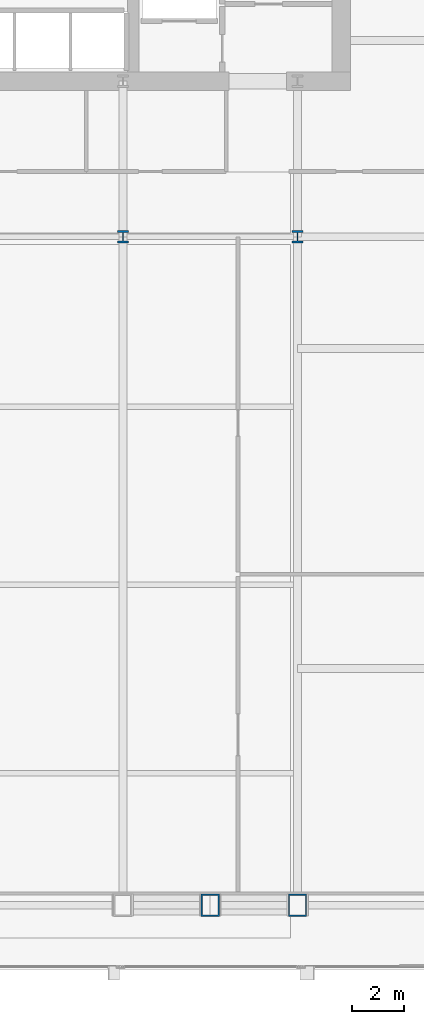
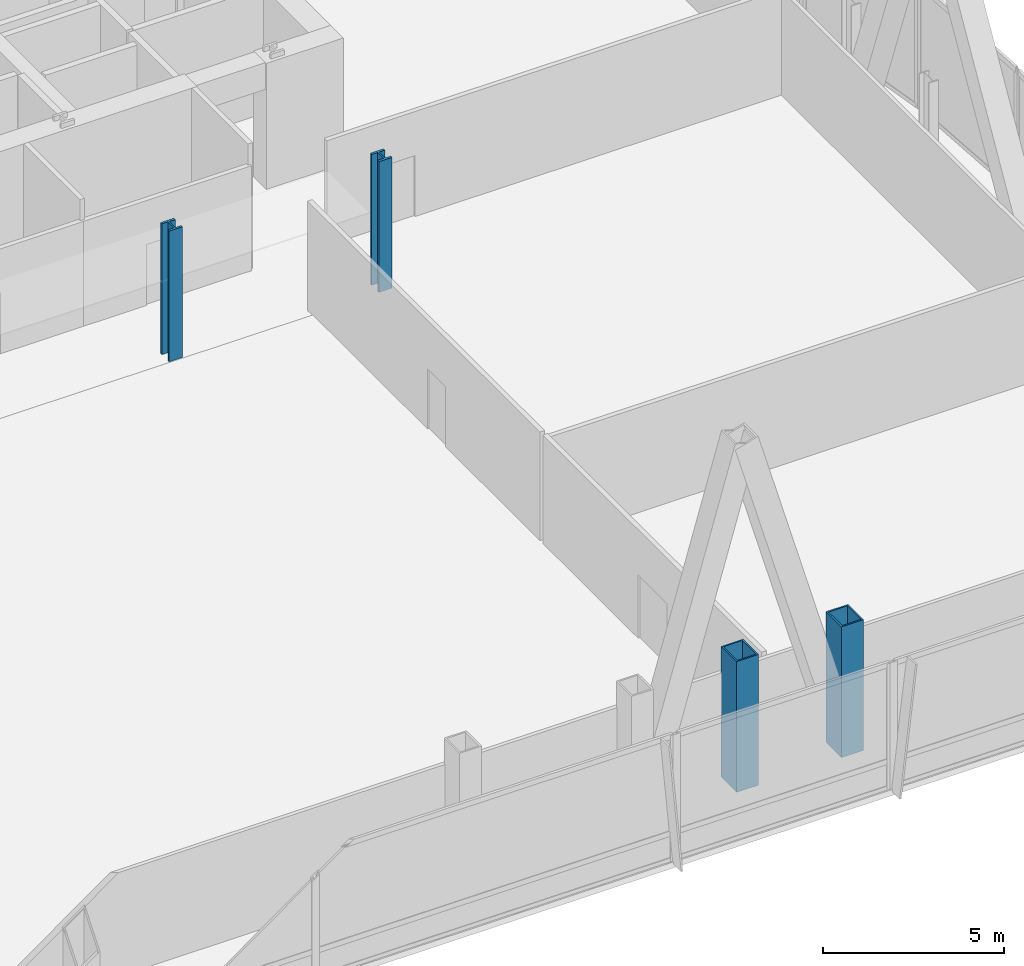
# One storey, part 2 of 32: 4 columns.
"""IFC4 building model written with IfcOpenShell, lengths in metres."""

from ifc_helpers import new_model, si_unit, direction, frame, origin, origin_2d, place, context, subcontext, project, spatial, hollow_rectangle, i_section, extrude, material, material_profile, profile_set, type_object, element, save


model = new_model("IFC4")

# Units and contexts
model_context = context("Model", 3, precision=1e-05, world=origin(), true_north=direction((0.0, 1.0)))
body_context = subcontext(model_context, "Body", "Model", "MODEL_VIEW")
ifc_project = project(units=[si_unit("LENGTHUNIT", "METRE"), si_unit("AREAUNIT", "SQUARE_METRE"), si_unit("VOLUMEUNIT", "CUBIC_METRE"), si_unit("PLANEANGLEUNIT", "RADIAN"), si_unit("MASSUNIT", "GRAM", prefix="KILO")], contexts=[model_context])

# Site, building, storey
site_placement = place(None, origin())
site = spatial("IfcSite", under=ifc_project, at=site_placement, CompositionType="ELEMENT")
building_placement = place(site_placement, origin())
building = spatial("IfcBuilding", under=site, at=building_placement, Name="Khoronbel Lancet Exchange", CompositionType="ELEMENT")
storey_placement = place(building_placement, frame((0.0, 0.0, 106.60009765625)))
storey = spatial("IfcBuildingStorey", under=building, at=storey_placement, Name="L25", CompositionType="ELEMENT", Elevation=106.60009765625)

# Columns
ifc_material = material(Name="Steel S460", Category="steel")
ifc_material_profile_1 = material_profile(ifc_material, hollow_rectangle(XDim=0.699951171875, YDim=0.85009765625, WallThickness=0.050048828125, at=origin_2d()), Name="BOX 850x700x50")
ifc_profile_set_1 = profile_set([ifc_material_profile_1], Name="Steel S460")
column_type_1 = type_object("IfcColumnType", Name="COL-EC2", PredefinedType="COLUMN", material=ifc_profile_set_1)
for number, where, z_axis, x_axis, name in (
    (1, (51.33740234375, 10.14990234375, 0.0), (0.0, 0.0, 1.0), (1.0, 0.0, 0.0), "Structural column SC-EM L25"),
    (2, (54.675048828125, 10.14990234375, 0.0), (0.0, 0.0, 1.0), (1.0, 0.0, 0.0), "Structural column SC-E2 L25"),
):
    element("IfcColumn", number, at=place(storey_placement, frame(where, z_axis=z_axis, x_axis=x_axis)), inside=storey, type_object=column_type_1, Name=name, PredefinedType="COLUMN", context=body_context, shape_type="SweptSolid", body=[
        extrude(hollow_rectangle(XDim=0.699951171875, YDim=0.85009765625, WallThickness=0.050048828125, at=origin_2d()), origin(), (0.0, 0.0, 1.0), 4.39990234375),
    ])
ifc_material_profile_2 = material_profile(ifc_material, i_section(OverallWidth=0.424072265625, OverallDepth=0.47412109375, WebThickness=0.047607421875, FlangeThickness=0.076904296875, at=origin_2d()), Name="HD 400x634")
ifc_profile_set_2 = profile_set([ifc_material_profile_2], Name="Steel S460")
column_type_2 = type_object("IfcColumnType", Name="COL-IC1", PredefinedType="COLUMN", material=ifc_profile_set_2)
for number, where, z_axis, x_axis, name in (
    (3, (48.0, 35.699951171875, 0.0), (0.0, 0.0, 1.0), (1.0, 0.0, 0.0), "Spine gravity column TC3 L25"),
    (4, (54.675048828125, 35.699951171875, 0.0), (0.0, 0.0, 1.0), (1.0, 0.0, 0.0), "Spine gravity column TC4 L25"),
):
    element("IfcColumn", number, at=place(storey_placement, frame(where, z_axis=z_axis, x_axis=x_axis)), inside=storey, type_object=column_type_2, Name=name, PredefinedType="COLUMN", context=body_context, shape_type="SweptSolid", body=[
        extrude(i_section(OverallWidth=0.424072265625, OverallDepth=0.47412109375, WebThickness=0.047607421875, FlangeThickness=0.076904296875, at=origin_2d()), origin(), (0.0, 0.0, 1.0), 4.39990234375),
    ])

save(model, "model.ifc")
